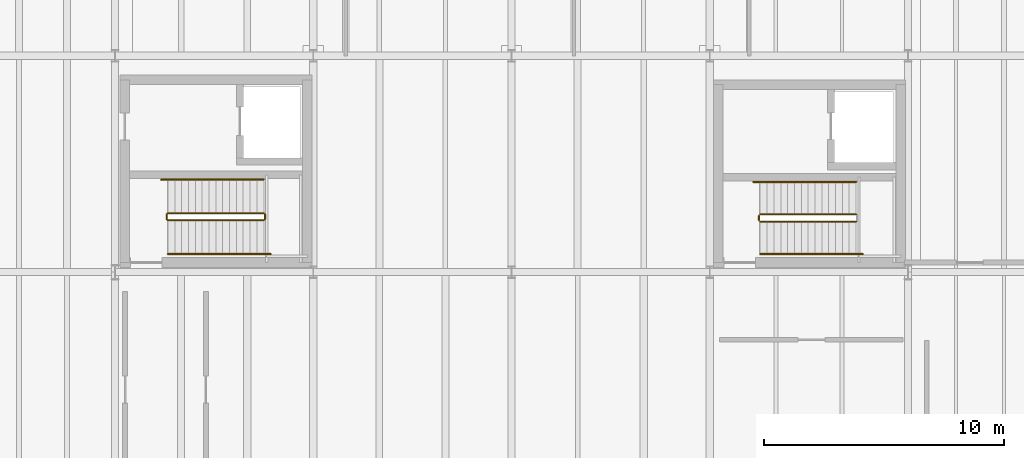
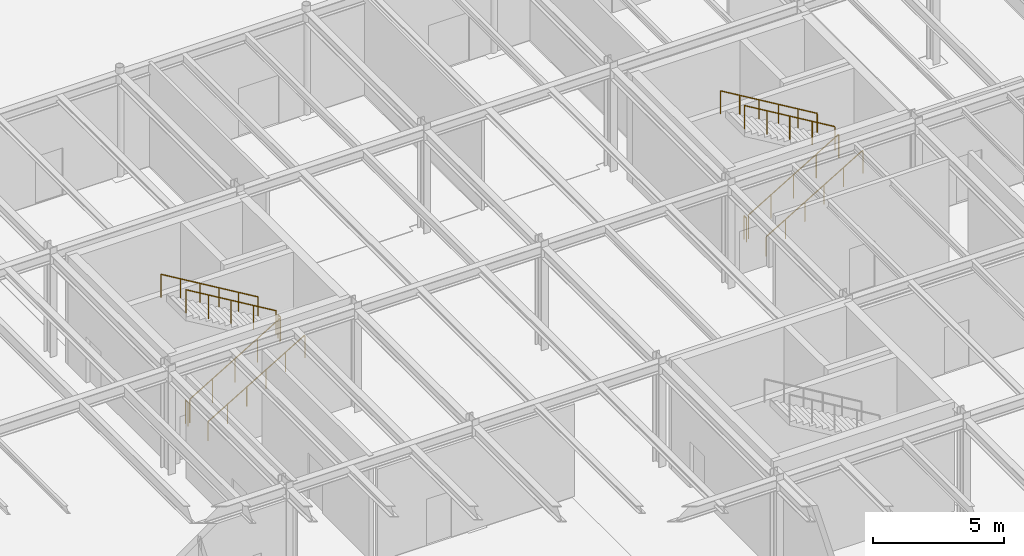
# One storey, part 53 of 64: 11 railings.
"""IFC4 building model written with IfcOpenShell, lengths in metres."""

import ifcopenshell
import ifcopenshell.guid

model = None  # the IFC model being written
_history = None  # IfcOwnerHistory: only IFC2X3 demands one
_inside = {}  # id of a spatial element -> (the spatial element, [elements in it])
_under = {}  # id of a project, library or spatial element -> (it, [spatial elements below it])
_declared = {}  # id of a project -> (the project, [libraries it declares])
_typed = {}  # id of a type object -> (the type object, [elements of that type])
_made_of = {}  # id of a material, layer set ... -> (it, [elements and type objects made of it])


def new_model(schema):
    """Start an empty IFC model of exactly this schema.

    Asked for "IFC4X3", IfcOpenShell would pick the latest addendum, in which some entities
    have other attributes; the version numbers below select the first issue.
    IFC2X3 requires an IfcOwnerHistory on every rooted entity: one is made here for all.
    """
    global model, _history
    if schema == "IFC4X3":
        model = ifcopenshell.file(schema_version=(4, 3, 0, 0))
    else:
        model = ifcopenshell.file(schema=schema)
    _inside.clear()
    _under.clear()
    _declared.clear()
    _typed.clear()
    _made_of.clear()
    _history = None
    if model.schema == "IFC2X3":
        org = make("IfcOrganization", Name="unknown")
        user = make(
            "IfcPersonAndOrganization",
            ThePerson=make("IfcPerson", FamilyName="unknown"),
            TheOrganization=org,
        )
        app = make(
            "IfcApplication",
            ApplicationDeveloper=org,
            Version="unknown",
            ApplicationFullName="unknown",
            ApplicationIdentifier="unknown",
        )
        _history = make(
            "IfcOwnerHistory",
            OwningUser=user,
            OwningApplication=app,
            ChangeAction="ADDED",
            CreationDate=0,
        )
    return model


def make(cls, **values):
    """One entity of the class cls with the attributes given. An attribute that is None is left unset."""
    return model.create_entity(
        cls, **{name: value for name, value in values.items() if value is not None}
    )


def rooted(cls, **values):
    """An entity with a GlobalId (a new one), such as an element, a storey or a relation."""
    return make(cls, GlobalId=ifcopenshell.guid.new(), OwnerHistory=_history, **values)


def si_unit(unit_type, name, prefix=None):
    """IfcSIUnit, for example si_unit("LENGTHUNIT", "METRE", prefix="MILLI")."""
    return make("IfcSIUnit", UnitType=unit_type, Prefix=prefix, Name=name)


def assignment(units):
    """IfcUnitAssignment: the units of a project."""
    return None if units is None else make("IfcUnitAssignment", Units=units)


def point(xyz):
    """IfcCartesianPoint."""
    return None if xyz is None else make("IfcCartesianPoint", Coordinates=xyz)


def direction(xyz):
    """IfcDirection."""
    return None if xyz is None else make("IfcDirection", DirectionRatios=xyz)


def frame(location, z_axis=None, x_axis=None):
    """IfcAxis2Placement3D, a coordinate frame: its origin and axes. An axis left out is left unset."""
    return make(
        "IfcAxis2Placement3D",
        Location=point(location),
        Axis=direction(z_axis),
        RefDirection=direction(x_axis),
    )


def frame_2d(location, x_axis=None):
    """IfcAxis2Placement2D, a coordinate frame in the plane: its origin and x axis."""
    return make(
        "IfcAxis2Placement2D", Location=point(location), RefDirection=direction(x_axis)
    )


def origin():
    """The frame at (0, 0, 0) with its axes left unset."""
    return frame((0.0, 0.0, 0.0))


def origin_2d():
    """The frame at (0, 0) in the plane with its x axis left unset."""
    return frame_2d((0.0, 0.0))


def place(relative_to, where):
    """IfcLocalPlacement: puts the frame where relative to a parent placement (None: the world)."""
    return make(
        "IfcLocalPlacement", PlacementRelTo=relative_to, RelativePlacement=where
    )


def context(
    kind, dimensions, precision=None, world=None, true_north=None, identifier=None
):
    """IfcGeometricRepresentationContext, for example the 3D "Model" context."""
    return make(
        "IfcGeometricRepresentationContext",
        ContextIdentifier=identifier,
        ContextType=kind,
        CoordinateSpaceDimension=dimensions,
        Precision=precision,
        WorldCoordinateSystem=world,
        TrueNorth=true_north,
    )


def subcontext(parent, identifier, kind, view, scale=None):
    """IfcGeometricRepresentationSubContext, for example "Body" below "Model"."""
    return make(
        "IfcGeometricRepresentationSubContext",
        ContextIdentifier=identifier,
        ContextType=kind,
        ParentContext=parent,
        TargetScale=scale,
        TargetView=view,
    )


def project(units=None, contexts=None):
    """IfcProject with its units and contexts."""
    return rooted(
        "IfcProject",
        Name="project",
        RepresentationContexts=contexts,
        UnitsInContext=assignment(units),
    )


def spatial(cls, under=None, at=None, **own):
    """A site, building, storey or space (cls), placed at a placement, below another one or the project."""
    s = rooted(cls, ObjectPlacement=at, **own)
    if under is not None:
        _under.setdefault(under.id(), (under, []))[1].append(s)
    return s


def profile(cls, at=None, kind="AREA", **sizes):
    """A parametric profile (cls). Its sizes go by their IFC names, for example OverallWidth=200.0."""
    return make(cls, ProfileType=kind, Position=at, **sizes)


def circle(**sizes):
    """IfcCircleProfileDef."""
    return profile("IfcCircleProfileDef", **sizes)


def extrude(swept, where, along, depth):
    """IfcExtrudedAreaSolid: the profile swept, set in the frame where, extruded along a direction by depth."""
    return make(
        "IfcExtrudedAreaSolid",
        SweptArea=swept,
        Position=where,
        ExtrudedDirection=direction(along),
        Depth=depth,
    )


def shape(context_of_items, identifier, shape_type, items):
    """IfcShapeRepresentation: the items that make up one representation, for example the "Body"."""
    return make(
        "IfcShapeRepresentation",
        ContextOfItems=context_of_items,
        RepresentationIdentifier=identifier,
        RepresentationType=shape_type,
        Items=items,
    )


def material(Name=None, Category=None):
    """IfcMaterial."""
    return make("IfcMaterial", Name=Name, Category=Category)


def layer(
    of_material, thickness, ventilated=None, Name=None, Category=None, Priority=None
):
    """IfcMaterialLayer: one layer of a wall or slab, of a material (None: an air gap)."""
    return make(
        "IfcMaterialLayer",
        Material=of_material,
        LayerThickness=thickness,
        IsVentilated=ventilated,
        Name=Name,
        Category=Category,
        Priority=Priority,
    )


def layer_set(layers, Name=None):
    """IfcMaterialLayerSet."""
    return make("IfcMaterialLayerSet", MaterialLayers=layers, LayerSetName=Name)


def made_of(thing, what):
    """Note that an element or type object is made of a material, layer set ...; save() writes the relation."""
    if what is not None:
        _made_of.setdefault(what.id(), (what, []))[1].append(thing)
    return thing


def type_object(cls, material=None, **own):
    """A type object (cls), such as IfcWallType, which elements share."""
    return made_of(rooted(cls, **own), material)


def element(
    cls,
    number,
    at=None,
    inside=None,
    cuts=None,
    type_object=None,
    material=None,
    context=None,
    identifier="Body",
    shape_type=None,
    held_by="IfcProductDefinitionShape",
    body=None,
    shapes=None,
    **own,
):
    """One element of the class cls, such as IfcWall. Its Tag is "e" and its number.

    at: its placement. inside: the storey or other place that contains it. cuts: it is an
    opening in that element (IfcRelVoidsElement). A single representation is given by context,
    identifier, shape_type and body (its items); several are given by shapes. held_by: the class
    of the entity that holds the representations. save() writes the other relations.
    """
    e = rooted(cls, Tag="e%d" % number, ObjectPlacement=at, **own)
    if body is not None:
        shapes = [shape(context, identifier, shape_type, body)]
    if shapes is not None:
        e.Representation = make(held_by, Representations=shapes)
    if inside is not None:
        _inside.setdefault(inside.id(), (inside, []))[1].append(e)
    if cuts is not None:
        rooted(
            "IfcRelVoidsElement", RelatingBuildingElement=cuts, RelatedOpeningElement=e
        )
    if type_object is not None:
        _typed.setdefault(type_object.id(), (type_object, []))[1].append(e)
    return made_of(e, material)


def aggregate(whole, parts):
    """IfcRelAggregates: a whole, such as a stair, and the parts it consists of."""
    return rooted("IfcRelAggregates", RelatingObject=whole, RelatedObjects=parts)


def save(model, path):
    """Write the relations noted so far, then the file.

    IfcRelAggregates (storeys below a building ...), IfcRelContainedInSpatialStructure (elements
    in a storey), IfcRelDefinesByType, IfcRelAssociatesMaterial and IfcRelDeclares: one each for
    every whole, place, type object, material and project.
    """
    for whole, parts in _under.values():
        aggregate(whole, parts)
    for where, things in _inside.values():
        rooted(
            "IfcRelContainedInSpatialStructure",
            RelatedElements=things,
            RelatingStructure=where,
        )
    for kind, things in _typed.values():
        rooted("IfcRelDefinesByType", RelatedObjects=things, RelatingType=kind)
    for what, things in _made_of.values():
        rooted("IfcRelAssociatesMaterial", RelatedObjects=things, RelatingMaterial=what)
    for by, libraries in _declared.values():
        rooted("IfcRelDeclares", RelatingContext=by, RelatedDefinitions=libraries)
    model.write(path)


model = new_model("IFC4")

# Units and contexts
model_context = context("Model", 3, precision=1e-05, world=origin(), true_north=direction((0.0, 1.0)))
body_context = subcontext(model_context, "Body", "Model", "MODEL_VIEW")
ifc_project = project(units=[si_unit("LENGTHUNIT", "METRE"), si_unit("AREAUNIT", "SQUARE_METRE"), si_unit("VOLUMEUNIT", "CUBIC_METRE"), si_unit("PLANEANGLEUNIT", "RADIAN"), si_unit("MASSUNIT", "GRAM", prefix="KILO")], contexts=[model_context])

# Site, building, storey
site_placement = place(None, origin())
site = spatial("IfcSite", under=ifc_project, at=site_placement, CompositionType="ELEMENT")
building_placement = place(site_placement, origin())
building = spatial("IfcBuilding", under=site, at=building_placement, Name="Montealbar Specialist Clinic", CompositionType="ELEMENT")
storey_placement = place(building_placement, origin())
storey = spatial("IfcBuildingStorey", under=building, at=storey_placement, Name="L00", CompositionType="ELEMENT", Elevation=0.0)

# Railings
ifc_material = material(Name="Steel S355", Category="steel")
ifc_layer_1 = layer(ifc_material, 0.050048828125, Name="Steel S355", Category="steel")
ifc_layer_set_1 = layer_set([ifc_layer_1], Name="Steel S355")
railing_type_1 = type_object("IfcRailingType", Name="RAIL-STAIR-BAL-1100", PredefinedType="BALUSTRADE", material=ifc_layer_set_1)
railing_1_placement = place(storey_placement, frame((68.199951171875, 29.14990234375, 0.169921875)))
element("IfcRailing", 1, at=railing_1_placement, inside=storey, type_object=railing_type_1, Name="L00 ST-03 stair guard 1", PredefinedType="BALUSTRADE", context=body_context, shape_type="SweptSolid", body=[
    extrude(circle(Radius=0.02392578125, at=origin_2d()), frame((0.0, 0.0, 1.076171875), z_axis=(0.858806931142, 0.0, 0.512299380267), x_axis=(0.0, 1.0, 0.0)), (0.0, 0.0, 1.0), 4.64599609375),
    extrude(circle(Radius=0.02099609375, at=origin_2d()), frame((0.0, 0.0, -0.02490234375)), (0.0, 0.0, 1.0), 1.076904296875),
    extrude(circle(Radius=0.02099609375, at=origin_2d()), frame((0.99755859375, 0.0, 0.570068359375)), (0.0, 0.0, 1.0), 1.076904296875),
    extrude(circle(Radius=0.02099609375, at=origin_2d()), frame((1.9951171875, 0.0, 1.1650390625)), (0.0, 0.0, 1.0), 1.076904296875),
    extrude(circle(Radius=0.02099609375, at=origin_2d()), frame((2.992431640625, 0.0, 1.760009765625)), (0.0, 0.0, 1.0), 1.076904296875),
    extrude(circle(Radius=0.02099609375, at=origin_2d()), frame((3.989990234375, 0.0, 2.355224609375)), (0.0, 0.0, 1.0), 1.076904296875),
])
railing_2_placement = place(storey_placement, frame((72.239990234375, 29.199951171875, 2.550048828125)))
element("IfcRailing", 2, at=railing_2_placement, inside=storey, type_object=railing_type_1, Name="L00 ST-03 stair guard 2", PredefinedType="BALUSTRADE", context=body_context, shape_type="SweptSolid", body=[
    extrude(circle(Radius=0.02392578125, at=origin_2d()), frame((0.0, 0.0, 1.076171875), z_axis=(0.0, 1.0, 0.0), x_axis=(-1.0, 0.0, 0.0)), (0.0, 0.0, 1.0), 0.199951171875),
    extrude(circle(Radius=0.02099609375, at=origin_2d()), frame((0.0, 0.0, -0.02490234375)), (0.0, 0.0, 1.0), 1.076904296875),
    extrude(circle(Radius=0.02099609375, at=origin_2d()), frame((0.0, 0.199951171875, -0.02490234375)), (0.0, 0.0, 1.0), 1.076904296875),
])
railing_3_placement = place(storey_placement, frame((72.18994140625, 29.449951171875, 2.719970703125)))
element("IfcRailing", 3, at=railing_3_placement, inside=storey, type_object=railing_type_1, Name="L00 ST-03 stair guard 3", PredefinedType="BALUSTRADE", context=body_context, shape_type="SweptSolid", body=[
    extrude(circle(Radius=0.02392578125, at=origin_2d()), frame((0.0, 0.0, 1.076171875), z_axis=(-0.858806931142, 0.0, 0.512299380267), x_axis=(0.0, -1.0, 0.0)), (0.0, 0.0, 1.0), 4.64599609375),
    extrude(circle(Radius=0.02099609375, at=origin_2d()), frame((0.0, 0.0, -0.02490234375)), (0.0, 0.0, 1.0), 1.076904296875),
    extrude(circle(Radius=0.02099609375, at=origin_2d()), frame((-0.99755859375, 0.0, 0.570068359375)), (0.0, 0.0, 1.0), 1.076904296875),
    extrude(circle(Radius=0.02099609375, at=origin_2d()), frame((-1.9951171875, 0.0, 1.1650390625)), (0.0, 0.0, 1.0), 1.076904296875),
    extrude(circle(Radius=0.02099609375, at=origin_2d()), frame((-2.992431640625, 0.0, 1.760009765625)), (0.0, 0.0, 1.0), 1.076904296875),
    extrude(circle(Radius=0.02099609375, at=origin_2d()), frame((-3.989990234375, 0.0, 2.355224609375)), (0.0, 0.0, 1.0), 1.076904296875),
])
railing_4_placement = place(storey_placement, frame((68.14990234375, 29.199951171875, 0.0)))
element("IfcRailing", 4, at=railing_4_placement, inside=storey, type_object=railing_type_1, Name="L00 ST-03 stair guard 4", PredefinedType="BALUSTRADE", context=body_context, shape_type="SweptSolid", body=[
    extrude(circle(Radius=0.02392578125, at=origin_2d()), frame((0.0, 0.0, 1.076171875), z_axis=(0.0, 1.0, 0.0), x_axis=(-1.0, 0.0, 0.0)), (0.0, 0.0, 1.0), 0.199951171875),
    extrude(circle(Radius=0.02099609375, at=origin_2d()), frame((0.0, 0.0, -0.02490234375)), (0.0, 0.0, 1.0), 1.076904296875),
    extrude(circle(Radius=0.02099609375, at=origin_2d()), frame((0.0, 0.199951171875, -0.02490234375)), (0.0, 0.0, 1.0), 1.076904296875),
])
railing_5_placement = place(storey_placement, frame((92.85009765625, 29.10009765625, 0.169921875)))
element("IfcRailing", 5, at=railing_5_placement, inside=storey, type_object=railing_type_1, Name="L00 ST-05 stair guard 1", PredefinedType="BALUSTRADE", context=body_context, shape_type="SweptSolid", body=[
    extrude(circle(Radius=0.02392578125, at=origin_2d()), frame((0.0, 0.0, 1.076171875), z_axis=(0.858806931142, 0.0, 0.512299380267), x_axis=(0.0, 1.0, 0.0)), (0.0, 0.0, 1.0), 4.64599609375),
    extrude(circle(Radius=0.02099609375, at=origin_2d()), frame((0.0, 0.0, -0.02490234375)), (0.0, 0.0, 1.0), 1.076904296875),
    extrude(circle(Radius=0.02099609375, at=origin_2d()), frame((0.99755859375, 0.0, 0.570068359375)), (0.0, 0.0, 1.0), 1.076904296875),
    extrude(circle(Radius=0.02099609375, at=origin_2d()), frame((1.9951171875, 0.0, 1.1650390625)), (0.0, 0.0, 1.0), 1.076904296875),
    extrude(circle(Radius=0.02099609375, at=origin_2d()), frame((2.992431640625, 0.0, 1.760009765625)), (0.0, 0.0, 1.0), 1.076904296875),
    extrude(circle(Radius=0.02099609375, at=origin_2d()), frame((3.989990234375, 0.0, 2.355224609375)), (0.0, 0.0, 1.0), 1.076904296875),
])
railing_6_placement = place(storey_placement, frame((96.840087890625, 29.39990234375, 2.719970703125)))
element("IfcRailing", 6, at=railing_6_placement, inside=storey, type_object=railing_type_1, Name="L00 ST-05 stair guard 3", PredefinedType="BALUSTRADE", context=body_context, shape_type="SweptSolid", body=[
    extrude(circle(Radius=0.02392578125, at=origin_2d()), frame((0.0, 0.0, 1.076171875), z_axis=(-0.858806931142, 0.0, 0.512299380267), x_axis=(0.0, -1.0, 0.0)), (0.0, 0.0, 1.0), 4.64599609375),
    extrude(circle(Radius=0.02099609375, at=origin_2d()), frame((0.0, 0.0, -0.02490234375)), (0.0, 0.0, 1.0), 1.076904296875),
    extrude(circle(Radius=0.02099609375, at=origin_2d()), frame((-0.99755859375, 0.0, 0.570068359375)), (0.0, 0.0, 1.0), 1.076904296875),
    extrude(circle(Radius=0.02099609375, at=origin_2d()), frame((-1.9951171875, 0.0, 1.1650390625)), (0.0, 0.0, 1.0), 1.076904296875),
    extrude(circle(Radius=0.02099609375, at=origin_2d()), frame((-2.992431640625, 0.0, 1.760009765625)), (0.0, 0.0, 1.0), 1.076904296875),
    extrude(circle(Radius=0.02099609375, at=origin_2d()), frame((-3.989990234375, 0.0, 2.355224609375)), (0.0, 0.0, 1.0), 1.076904296875),
])
railing_7_placement = place(storey_placement, frame((92.800048828125, 29.14990234375, 0.0)))
element("IfcRailing", 7, at=railing_7_placement, inside=storey, type_object=railing_type_1, Name="L00 ST-05 stair guard 4", PredefinedType="BALUSTRADE", context=body_context, shape_type="SweptSolid", body=[
    extrude(circle(Radius=0.02392578125, at=origin_2d()), frame((0.0, 0.0, 1.076171875), z_axis=(0.0, 1.0, 0.0), x_axis=(-1.0, 0.0, 0.0)), (0.0, 0.0, 1.0), 0.2001953125),
    extrude(circle(Radius=0.02099609375, at=origin_2d()), frame((0.0, 0.0, -0.02490234375)), (0.0, 0.0, 1.0), 1.076904296875),
    extrude(circle(Radius=0.02099609375, at=origin_2d()), frame((0.0, 0.2001953125, -0.02490234375)), (0.0, 0.0, 1.0), 1.076904296875),
])
ifc_layer_2 = layer(ifc_material, 0.044921875, Name="Steel S355", Category="steel")
ifc_layer_set_2 = layer_set([ifc_layer_2], Name="Steel S355")
railing_type_2 = type_object("IfcRailingType", Name="RAIL-STAIR-HR-900", PredefinedType="HANDRAIL", material=ifc_layer_set_2)
railing_8_placement = place(storey_placement, frame((68.199951171875, 27.75, 0.169921875)))
element("IfcRailing", 8, at=railing_8_placement, inside=storey, type_object=railing_type_2, Name="L00 ST-03 stair handrail 1", PredefinedType="HANDRAIL", context=body_context, shape_type="SweptSolid", body=[
    extrude(circle(Radius=0.02392578125, at=origin_2d()), frame((0.0, 0.0, 0.8759765625), z_axis=(0.858822911917, 0.0, 0.512272589513), x_axis=(0.0, 1.0, 0.0)), (0.0, 0.0, 1.0), 4.97802734375),
    extrude(circle(Radius=0.02099609375, at=origin_2d()), frame((0.0, 0.0, -0.02490234375)), (0.0, 0.0, 1.0), 0.876708984375),
    extrude(circle(Radius=0.02099609375, at=origin_2d()), frame((0.85498046875, 0.0, 0.485107421875)), (0.0, 0.0, 1.0), 0.876708984375),
    extrude(circle(Radius=0.02099609375, at=origin_2d()), frame((1.7099609375, 0.0, 0.9951171875)), (0.0, 0.0, 1.0), 0.876708984375),
    extrude(circle(Radius=0.02099609375, at=origin_2d()), frame((2.565185546875, 0.0, 1.505126953125)), (0.0, 0.0, 1.0), 0.876708984375),
    extrude(circle(Radius=0.02099609375, at=origin_2d()), frame((3.420166015625, 0.0, 2.01513671875)), (0.0, 0.0, 1.0), 0.876708984375),
    extrude(circle(Radius=0.02099609375, at=origin_2d()), frame((4.275146484375, 0.0, 2.355224609375)), (0.0, 0.0, 1.0), 1.046630859375),
])
railing_9_placement = place(storey_placement, frame((72.18994140625, 30.85009765625, 2.719970703125)))
element("IfcRailing", 9, at=railing_9_placement, inside=storey, type_object=railing_type_2, Name="L00 ST-03 stair handrail 2", PredefinedType="HANDRAIL", context=body_context, shape_type="SweptSolid", body=[
    extrude(circle(Radius=0.02392578125, at=origin_2d()), frame((0.0, 0.0, 0.8759765625), z_axis=(-0.858810040619, 0.0, 0.512294167576), x_axis=(0.0, -1.0, 0.0)), (0.0, 0.0, 1.0), 4.977783203125),
    extrude(circle(Radius=0.02099609375, at=origin_2d()), frame((0.0, 0.0, -0.02490234375)), (0.0, 0.0, 1.0), 0.876708984375),
    extrude(circle(Radius=0.02099609375, at=origin_2d()), frame((-0.85498046875, 0.0, 0.485107421875)), (0.0, 0.0, 1.0), 0.876708984375),
    extrude(circle(Radius=0.02099609375, at=origin_2d()), frame((-1.7099609375, 0.0, 0.9951171875)), (0.0, 0.0, 1.0), 0.876708984375),
    extrude(circle(Radius=0.02099609375, at=origin_2d()), frame((-2.56494140625, 0.0, 1.505126953125)), (0.0, 0.0, 1.0), 0.876708984375),
    extrude(circle(Radius=0.02099609375, at=origin_2d()), frame((-3.419921875, 0.0, 2.01513671875)), (0.0, 0.0, 1.0), 0.876708984375),
    extrude(circle(Radius=0.02099609375, at=origin_2d()), frame((-4.27490234375, 0.0, 2.355224609375)), (0.0, 0.0, 1.0), 1.046630859375),
])
railing_10_placement = place(storey_placement, frame((92.85009765625, 27.75, 0.169921875)))
element("IfcRailing", 10, at=railing_10_placement, inside=storey, type_object=railing_type_2, Name="L00 ST-05 stair handrail 1", PredefinedType="HANDRAIL", context=body_context, shape_type="SweptSolid", body=[
    extrude(circle(Radius=0.02392578125, at=origin_2d()), frame((0.0, 0.0, 0.8759765625), z_axis=(0.858810040619, 0.0, 0.512294167576), x_axis=(0.0, 1.0, 0.0)), (0.0, 0.0, 1.0), 4.977783203125),
    extrude(circle(Radius=0.02099609375, at=origin_2d()), frame((0.0, 0.0, -0.02490234375)), (0.0, 0.0, 1.0), 0.876708984375),
    extrude(circle(Radius=0.02099609375, at=origin_2d()), frame((0.85498046875, 0.0, 0.485107421875)), (0.0, 0.0, 1.0), 0.876708984375),
    extrude(circle(Radius=0.02099609375, at=origin_2d()), frame((1.7099609375, 0.0, 0.9951171875)), (0.0, 0.0, 1.0), 0.876708984375),
    extrude(circle(Radius=0.02099609375, at=origin_2d()), frame((2.56494140625, 0.0, 1.505126953125)), (0.0, 0.0, 1.0), 0.876708984375),
    extrude(circle(Radius=0.02099609375, at=origin_2d()), frame((3.419921875, 0.0, 2.01513671875)), (0.0, 0.0, 1.0), 0.876708984375),
    extrude(circle(Radius=0.02099609375, at=origin_2d()), frame((4.27490234375, 0.0, 2.355224609375)), (0.0, 0.0, 1.0), 1.046630859375),
])
railing_11_placement = place(storey_placement, frame((96.840087890625, 30.75, 2.719970703125)))
element("IfcRailing", 11, at=railing_11_placement, inside=storey, type_object=railing_type_2, Name="L00 ST-05 stair handrail 2", PredefinedType="HANDRAIL", context=body_context, shape_type="SweptSolid", body=[
    extrude(circle(Radius=0.02392578125, at=origin_2d()), frame((0.0, 0.0, 0.8759765625), z_axis=(-0.858822911917, 0.0, 0.512272589513), x_axis=(0.0, -1.0, 0.0)), (0.0, 0.0, 1.0), 4.97802734375),
    extrude(circle(Radius=0.02099609375, at=origin_2d()), frame((0.0, 0.0, -0.02490234375)), (0.0, 0.0, 1.0), 0.876708984375),
    extrude(circle(Radius=0.02099609375, at=origin_2d()), frame((-0.85498046875, 0.0, 0.485107421875)), (0.0, 0.0, 1.0), 0.876708984375),
    extrude(circle(Radius=0.02099609375, at=origin_2d()), frame((-1.7099609375, 0.0, 0.9951171875)), (0.0, 0.0, 1.0), 0.876708984375),
    extrude(circle(Radius=0.02099609375, at=origin_2d()), frame((-2.565185546875, 0.0, 1.505126953125)), (0.0, 0.0, 1.0), 0.876708984375),
    extrude(circle(Radius=0.02099609375, at=origin_2d()), frame((-3.420166015625, 0.0, 2.01513671875)), (0.0, 0.0, 1.0), 0.876708984375),
    extrude(circle(Radius=0.02099609375, at=origin_2d()), frame((-4.275146484375, 0.0, 2.355224609375)), (0.0, 0.0, 1.0), 1.046630859375),
])

save(model, "model.ifc")
